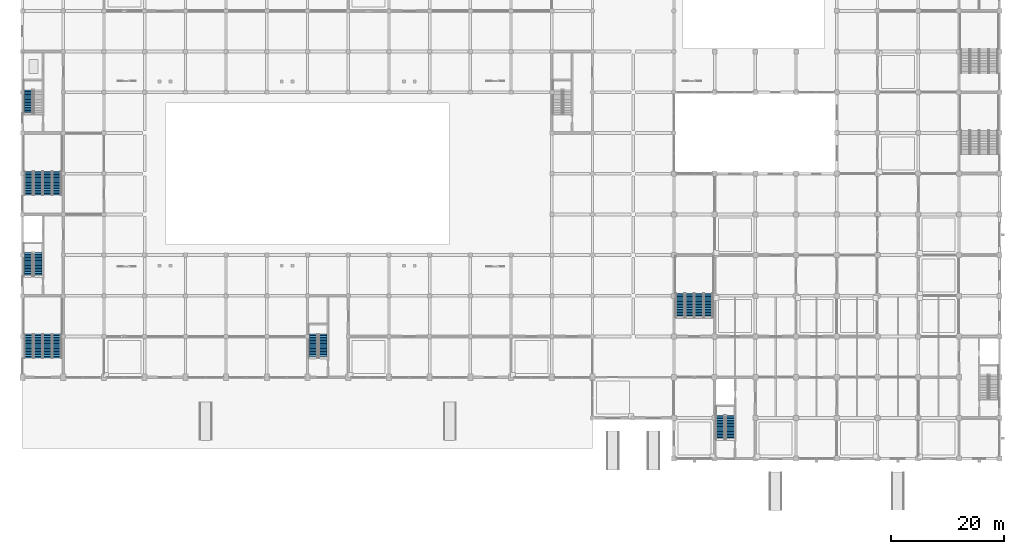
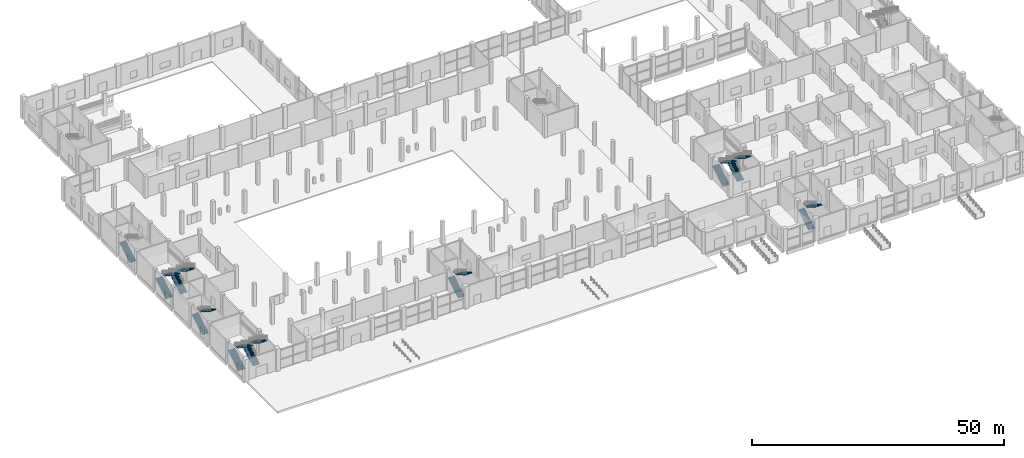
# One storey, part 54 of 70: 19 stair flights, 10 elements without a shape of their own.
"""IFC4 building model written with IfcOpenShell, lengths in metres."""

from ifc_helpers import new_model, si_unit, direction, frame, origin, place, context, subcontext, project, spatial, polyline, outline, extrude, material, type_object, element, aggregate, save


model = new_model("IFC4")

# Units and contexts
model_context = context("Model", 3, precision=1e-05, world=origin(), true_north=direction((0.0, 1.0)))
body_context = subcontext(model_context, "Body", "Model", "MODEL_VIEW")
ifc_project = project(units=[si_unit("LENGTHUNIT", "METRE"), si_unit("AREAUNIT", "SQUARE_METRE"), si_unit("VOLUMEUNIT", "CUBIC_METRE"), si_unit("PLANEANGLEUNIT", "RADIAN"), si_unit("MASSUNIT", "GRAM", prefix="KILO")], contexts=[model_context])

# Site, building, storey
site_placement = place(None, origin())
site = spatial("IfcSite", under=ifc_project, at=site_placement, CompositionType="ELEMENT")
building_placement = place(site_placement, origin())
building = spatial("IfcBuilding", under=site, at=building_placement, Name="Vesperath Aquatics Centre", CompositionType="ELEMENT")
storey_placement = place(building_placement, origin())
storey = spatial("IfcBuildingStorey", under=building, at=storey_placement, Name="L00", CompositionType="ELEMENT", Elevation=0.0)

# Stair, stair flights
ifc_material = material(Name="Concrete C35", Category="concrete")
stair_type_1 = type_object("IfcStairType", Name="ST-HT54", PredefinedType="HALF_TURN_STAIR", material=ifc_material)
stair_1_placement = place(storey_placement, origin())
stair_1 = element("IfcStair", 1, at=stair_1_placement, inside=storey, type_object=stair_type_1, Name="Enclosed Exit Stair ST1 L00", PredefinedType="HALF_TURN_STAIR")
stair_flight_type_1 = type_object("IfcStairFlightType", Name="SF-F54", PredefinedType="STRAIGHT", material=ifc_material)
stair_flight_1_placement = place(storey_placement, frame((1.070068359375, 32.219970703125, 0.0), z_axis=(0.0, 0.0, 1.0), x_axis=(0.0, 1.0, 0.0)))
stair_flight_1 = element("IfcStairFlight", 2, at=stair_flight_1_placement, type_object=stair_flight_type_1, Name="Stair ST1 Flight 1 L00", NumberOfRisers=16, NumberOfTreads=15, PredefinedType="STRAIGHT", RiserHeight=0.16875, TreadLength=0.28, context=body_context, shape_type="SweptSolid", body=[
    extrude(outline(polyline([(0.0, 0.0), (0.0, 0.168701171875), (0.280029296875, 0.168701171875), (0.280029296875, 0.33740234375), (0.56005859375, 0.33740234375), (0.56005859375, 0.50634765625), (0.840087890625, 0.50634765625), (0.840087890625, 0.675048828125), (1.1201171875, 0.675048828125), (1.1201171875, 0.84375), (1.39990234375, 0.84375), (1.39990234375, 1.012451171875), (1.679931640625, 1.012451171875), (1.679931640625, 1.18115234375), (1.9599609375, 1.18115234375), (1.9599609375, 1.35009765625), (2.239990234375, 1.35009765625), (2.239990234375, 1.518798828125), (2.52001953125, 1.518798828125), (2.52001953125, 1.6875), (2.800048828125, 1.6875), (2.800048828125, 1.856201171875), (3.080078125, 1.856201171875), (3.080078125, 2.02490234375), (3.360107421875, 2.02490234375), (3.360107421875, 2.19384765625), (3.639892578125, 2.19384765625), (3.639892578125, 2.362548828125), (3.919921875, 2.362548828125), (3.919921875, 2.53125), (4.199951171875, 2.53125), (4.199951171875, 2.699951171875), (4.199951171875, 2.3212890625), (0.3486328125, 0.0), (0.0, 0.0)])), frame((0.0, 0.719970703125, 0.0), z_axis=(0.0, -1.0, 0.0), x_axis=(1.0, 0.0, 0.0)), (0.0, 0.0, 1.0), 1.43994140625),
])
stair_flight_2_placement = place(storey_placement, frame((2.75, 36.419921875, 2.699951171875), z_axis=(0.0, 0.0, 1.0), x_axis=(0.0, -1.0, 0.0)))
stair_flight_2 = element("IfcStairFlight", 3, at=stair_flight_2_placement, type_object=stair_flight_type_1, Name="Stair ST1 Flight 2 L00", NumberOfRisers=16, NumberOfTreads=15, PredefinedType="STRAIGHT", RiserHeight=0.16875, TreadLength=0.28, context=body_context, shape_type="SweptSolid", body=[
    extrude(outline(polyline([(0.0, 0.0), (0.0, 0.168701171875), (0.280029296875, 0.168701171875), (0.280029296875, 0.33740234375), (0.56005859375, 0.33740234375), (0.56005859375, 0.50634765625), (0.840087890625, 0.50634765625), (0.840087890625, 0.675048828125), (1.1201171875, 0.675048828125), (1.1201171875, 0.84375), (1.39990234375, 0.84375), (1.39990234375, 1.012451171875), (1.679931640625, 1.012451171875), (1.679931640625, 1.18115234375), (1.9599609375, 1.18115234375), (1.9599609375, 1.35009765625), (2.239990234375, 1.35009765625), (2.239990234375, 1.518798828125), (2.52001953125, 1.518798828125), (2.52001953125, 1.6875), (2.800048828125, 1.6875), (2.800048828125, 1.856201171875), (3.080078125, 1.856201171875), (3.080078125, 2.02490234375), (3.360107421875, 2.02490234375), (3.360107421875, 2.19384765625), (3.639892578125, 2.19384765625), (3.639892578125, 2.362548828125), (3.919921875, 2.362548828125), (3.919921875, 2.53125), (4.199951171875, 2.53125), (4.199951171875, 2.699951171875), (4.199951171875, 2.3212890625), (0.3486328125, 0.0), (0.0, 0.0)])), frame((0.0, 0.719970703125, 0.0), z_axis=(0.0, -1.0, 0.0), x_axis=(1.0, 0.0, 0.0)), (0.0, 0.0, 1.0), 1.43994140625),
])
aggregate(stair_1, [stair_flight_1, stair_flight_2])

# Stair, stair flight
stair_2_placement = place(storey_placement, origin())
stair_2 = element("IfcStair", 4, at=stair_2_placement, inside=storey, type_object=stair_type_1, Name="Enclosed Exit Stair ST2 L00", PredefinedType="HALF_TURN_STAIR")
stair_flight_3_placement = place(storey_placement, frame((1.070068359375, 61.02001953125, 0.0), z_axis=(0.0, 0.0, 1.0), x_axis=(0.0, 1.0, 0.0)))
stair_flight_3 = element("IfcStairFlight", 5, at=stair_flight_3_placement, type_object=stair_flight_type_1, Name="Stair ST2 Flight 1 L00", NumberOfRisers=16, NumberOfTreads=15, PredefinedType="STRAIGHT", RiserHeight=0.16875, TreadLength=0.28, context=body_context, shape_type="SweptSolid", body=[
    extrude(outline(polyline([(0.0, 0.0), (0.0, 0.168701171875), (0.280029296875, 0.168701171875), (0.280029296875, 0.33740234375), (0.56005859375, 0.33740234375), (0.56005859375, 0.50634765625), (0.840087890625, 0.50634765625), (0.840087890625, 0.675048828125), (1.1201171875, 0.675048828125), (1.1201171875, 0.84375), (1.39990234375, 0.84375), (1.39990234375, 1.012451171875), (1.679931640625, 1.012451171875), (1.679931640625, 1.18115234375), (1.9599609375, 1.18115234375), (1.9599609375, 1.35009765625), (2.239990234375, 1.35009765625), (2.239990234375, 1.518798828125), (2.52001953125, 1.518798828125), (2.52001953125, 1.6875), (2.800048828125, 1.6875), (2.800048828125, 1.856201171875), (3.080078125, 1.856201171875), (3.080078125, 2.02490234375), (3.360107421875, 2.02490234375), (3.360107421875, 2.19384765625), (3.639892578125, 2.19384765625), (3.639892578125, 2.362548828125), (3.919921875, 2.362548828125), (3.919921875, 2.53125), (4.199951171875, 2.53125), (4.199951171875, 2.699951171875), (4.199951171875, 2.3212890625), (0.3486328125, 0.0), (0.0, 0.0)])), frame((0.0, 0.719970703125, 0.0), z_axis=(0.0, -1.0, 0.0), x_axis=(1.0, 0.0, 0.0)), (0.0, 0.0, 1.0), 1.43994140625),
])
aggregate(stair_2, [stair_flight_3])

# Stair, stair flights
stair_3_placement = place(storey_placement, origin())
stair_3 = element("IfcStair", 6, at=stair_3_placement, inside=storey, type_object=stair_type_1, Name="Enclosed Exit Stair ST9 L00", PredefinedType="HALF_TURN_STAIR")
stair_flight_4_placement = place(storey_placement, frame((51.469970703125, 17.820068359375, 0.0), z_axis=(0.0, 0.0, 1.0), x_axis=(0.0, 1.0, 0.0)))
stair_flight_4 = element("IfcStairFlight", 7, at=stair_flight_4_placement, type_object=stair_flight_type_1, Name="Stair ST9 Flight 1 L00", NumberOfRisers=16, NumberOfTreads=15, PredefinedType="STRAIGHT", RiserHeight=0.16875, TreadLength=0.28, context=body_context, shape_type="SweptSolid", body=[
    extrude(outline(polyline([(0.0, 0.0), (0.0, 0.168701171875), (0.280029296875, 0.168701171875), (0.280029296875, 0.33740234375), (0.56005859375, 0.33740234375), (0.56005859375, 0.50634765625), (0.840087890625, 0.50634765625), (0.840087890625, 0.675048828125), (1.1201171875, 0.675048828125), (1.1201171875, 0.84375), (1.39990234375, 0.84375), (1.39990234375, 1.012451171875), (1.679931640625, 1.012451171875), (1.679931640625, 1.18115234375), (1.9599609375, 1.18115234375), (1.9599609375, 1.35009765625), (2.239990234375, 1.35009765625), (2.239990234375, 1.518798828125), (2.52001953125, 1.518798828125), (2.52001953125, 1.6875), (2.800048828125, 1.6875), (2.800048828125, 1.856201171875), (3.080078125, 1.856201171875), (3.080078125, 2.02490234375), (3.360107421875, 2.02490234375), (3.360107421875, 2.19384765625), (3.639892578125, 2.19384765625), (3.639892578125, 2.362548828125), (3.919921875, 2.362548828125), (3.919921875, 2.53125), (4.199951171875, 2.53125), (4.199951171875, 2.699951171875), (4.199951171875, 2.3212890625), (0.3486328125, 0.0), (0.0, 0.0)])), frame((0.0, 0.719970703125, 0.0), z_axis=(0.0, -1.0, 0.0), x_axis=(1.0, 0.0, 0.0)), (0.0, 0.0, 1.0), 1.43994140625),
])
stair_flight_5_placement = place(storey_placement, frame((53.14990234375, 22.02001953125, 2.699951171875), z_axis=(0.0, 0.0, 1.0), x_axis=(0.0, -1.0, 0.0)))
stair_flight_5 = element("IfcStairFlight", 8, at=stair_flight_5_placement, type_object=stair_flight_type_1, Name="Stair ST9 Flight 2 L00", NumberOfRisers=16, NumberOfTreads=15, PredefinedType="STRAIGHT", RiserHeight=0.16875, TreadLength=0.28, context=body_context, shape_type="SweptSolid", body=[
    extrude(outline(polyline([(0.0, 0.0), (0.0, 0.168701171875), (0.280029296875, 0.168701171875), (0.280029296875, 0.33740234375), (0.56005859375, 0.33740234375), (0.56005859375, 0.50634765625), (0.840087890625, 0.50634765625), (0.840087890625, 0.675048828125), (1.1201171875, 0.675048828125), (1.1201171875, 0.84375), (1.39990234375, 0.84375), (1.39990234375, 1.012451171875), (1.679931640625, 1.012451171875), (1.679931640625, 1.18115234375), (1.9599609375, 1.18115234375), (1.9599609375, 1.35009765625), (2.239990234375, 1.35009765625), (2.239990234375, 1.518798828125), (2.52001953125, 1.518798828125), (2.52001953125, 1.6875), (2.800048828125, 1.6875), (2.800048828125, 1.856201171875), (3.080078125, 1.856201171875), (3.080078125, 2.02490234375), (3.360107421875, 2.02490234375), (3.360107421875, 2.19384765625), (3.639892578125, 2.19384765625), (3.639892578125, 2.362548828125), (3.919921875, 2.362548828125), (3.919921875, 2.53125), (4.199951171875, 2.53125), (4.199951171875, 2.699951171875), (4.199951171875, 2.3212890625), (0.3486328125, 0.0), (0.0, 0.0)])), frame((0.0, 0.719970703125, 0.0), z_axis=(0.0, -1.0, 0.0), x_axis=(1.0, 0.0, 0.0)), (0.0, 0.0, 1.0), 1.43994140625),
])
aggregate(stair_3, [stair_flight_4, stair_flight_5])

stair_4_placement = place(storey_placement, origin())
stair_4 = element("IfcStair", 9, at=stair_4_placement, inside=storey, type_object=stair_type_1, Name="Enclosed Exit Stair ST5 L00", PredefinedType="HALF_TURN_STAIR")
stair_flight_6_placement = place(storey_placement, frame((123.469970703125, 3.419921875, 0.0), z_axis=(0.0, 0.0, 1.0), x_axis=(0.0, 1.0, 0.0)))
stair_flight_6 = element("IfcStairFlight", 10, at=stair_flight_6_placement, type_object=stair_flight_type_1, Name="Stair ST5 Flight 1 L00", NumberOfRisers=16, NumberOfTreads=15, PredefinedType="STRAIGHT", RiserHeight=0.16875, TreadLength=0.28, context=body_context, shape_type="SweptSolid", body=[
    extrude(outline(polyline([(0.0, 0.0), (0.0, 0.168701171875), (0.280029296875, 0.168701171875), (0.280029296875, 0.33740234375), (0.56005859375, 0.33740234375), (0.56005859375, 0.50634765625), (0.840087890625, 0.50634765625), (0.840087890625, 0.675048828125), (1.1201171875, 0.675048828125), (1.1201171875, 0.84375), (1.39990234375, 0.84375), (1.39990234375, 1.012451171875), (1.679931640625, 1.012451171875), (1.679931640625, 1.18115234375), (1.9599609375, 1.18115234375), (1.9599609375, 1.35009765625), (2.239990234375, 1.35009765625), (2.239990234375, 1.518798828125), (2.52001953125, 1.518798828125), (2.52001953125, 1.6875), (2.800048828125, 1.6875), (2.800048828125, 1.856201171875), (3.080078125, 1.856201171875), (3.080078125, 2.02490234375), (3.360107421875, 2.02490234375), (3.360107421875, 2.19384765625), (3.639892578125, 2.19384765625), (3.639892578125, 2.362548828125), (3.919921875, 2.362548828125), (3.919921875, 2.53125), (4.199951171875, 2.53125), (4.199951171875, 2.699951171875), (4.199951171875, 2.3212890625), (0.3486328125, 0.0), (0.0, 0.0)])), frame((0.0, 0.719970703125, 0.0), z_axis=(0.0, -1.0, 0.0), x_axis=(1.0, 0.0, 0.0)), (0.0, 0.0, 1.0), 1.43994140625),
])
stair_flight_7_placement = place(storey_placement, frame((125.14990234375, 7.6201171875, 2.699951171875), z_axis=(0.0, 0.0, 1.0), x_axis=(0.0, -1.0, 0.0)))
stair_flight_7 = element("IfcStairFlight", 11, at=stair_flight_7_placement, type_object=stair_flight_type_1, Name="Stair ST5 Flight 2 L00", NumberOfRisers=16, NumberOfTreads=15, PredefinedType="STRAIGHT", RiserHeight=0.16875, TreadLength=0.28, context=body_context, shape_type="SweptSolid", body=[
    extrude(outline(polyline([(0.0, 0.0), (0.0, 0.168701171875), (0.280029296875, 0.168701171875), (0.280029296875, 0.33740234375), (0.56005859375, 0.33740234375), (0.56005859375, 0.50634765625), (0.840087890625, 0.50634765625), (0.840087890625, 0.675048828125), (1.1201171875, 0.675048828125), (1.1201171875, 0.84375), (1.39990234375, 0.84375), (1.39990234375, 1.012451171875), (1.679931640625, 1.012451171875), (1.679931640625, 1.18115234375), (1.9599609375, 1.18115234375), (1.9599609375, 1.35009765625), (2.239990234375, 1.35009765625), (2.239990234375, 1.518798828125), (2.52001953125, 1.518798828125), (2.52001953125, 1.6875), (2.800048828125, 1.6875), (2.800048828125, 1.856201171875), (3.080078125, 1.856201171875), (3.080078125, 2.02490234375), (3.360107421875, 2.02490234375), (3.360107421875, 2.19384765625), (3.639892578125, 2.19384765625), (3.639892578125, 2.362548828125), (3.919921875, 2.362548828125), (3.919921875, 2.53125), (4.199951171875, 2.53125), (4.199951171875, 2.699951171875), (4.199951171875, 2.3212890625), (0.3486328125, 0.0), (0.0, 0.0)])), frame((0.0, 0.719970703125, 0.0), z_axis=(0.0, -1.0, 0.0), x_axis=(1.0, 0.0, 0.0)), (0.0, 0.0, 1.0), 1.43994140625),
])
aggregate(stair_4, [stair_flight_6, stair_flight_7])

stair_type_2 = type_object("IfcStairType", Name="ST-HW54", PredefinedType="HALF_TURN_STAIR", material=ifc_material)
stair_5_placement = place(storey_placement, origin())
stair_5 = element("IfcStair", 12, at=stair_5_placement, inside=storey, type_object=stair_type_2, Name="Enclosed Exit Stair ST7A L00", PredefinedType="HALF_TURN_STAIR")
stair_flight_type_2 = type_object("IfcStairFlightType", Name="SF-W54", PredefinedType="STRAIGHT", material=ifc_material)
stair_flight_8_placement = place(storey_placement, frame((116.324951171875, 25.02001953125, 0.0), z_axis=(0.0, 0.0, 1.0), x_axis=(0.0, 1.0, 0.0)))
stair_flight_8 = element("IfcStairFlight", 13, at=stair_flight_8_placement, type_object=stair_flight_type_2, Name="Stair ST7A Flight 1 L00", NumberOfRisers=16, NumberOfTreads=15, PredefinedType="STRAIGHT", RiserHeight=0.16875, TreadLength=0.28, context=body_context, shape_type="SweptSolid", body=[
    extrude(outline(polyline([(0.0, 0.0), (0.0, 0.168701171875), (0.280029296875, 0.168701171875), (0.280029296875, 0.33740234375), (0.56005859375, 0.33740234375), (0.56005859375, 0.50634765625), (0.840087890625, 0.50634765625), (0.840087890625, 0.675048828125), (1.1201171875, 0.675048828125), (1.1201171875, 0.84375), (1.39990234375, 0.84375), (1.39990234375, 1.012451171875), (1.679931640625, 1.012451171875), (1.679931640625, 1.18115234375), (1.9599609375, 1.18115234375), (1.9599609375, 1.35009765625), (2.239990234375, 1.35009765625), (2.239990234375, 1.518798828125), (2.52001953125, 1.518798828125), (2.52001953125, 1.6875), (2.800048828125, 1.6875), (2.800048828125, 1.856201171875), (3.080078125, 1.856201171875), (3.080078125, 2.02490234375), (3.360107421875, 2.02490234375), (3.360107421875, 2.19384765625), (3.639892578125, 2.19384765625), (3.639892578125, 2.362548828125), (3.919921875, 2.362548828125), (3.919921875, 2.53125), (4.199951171875, 2.53125), (4.199951171875, 2.699951171875), (4.199951171875, 2.3212890625), (0.3486328125, 0.0), (0.0, 0.0)])), frame((0.0, 0.78515625, 0.0), z_axis=(0.0, -1.0, 0.0), x_axis=(1.0, 0.0, 0.0)), (0.0, 0.0, 1.0), 1.570068359375),
])
stair_flight_9_placement = place(storey_placement, frame((117.97509765625, 29.219970703125, 2.699951171875), z_axis=(0.0, 0.0, 1.0), x_axis=(0.0, -1.0, 0.0)))
stair_flight_9 = element("IfcStairFlight", 14, at=stair_flight_9_placement, type_object=stair_flight_type_2, Name="Stair ST7A Flight 2 L00", NumberOfRisers=16, NumberOfTreads=15, PredefinedType="STRAIGHT", RiserHeight=0.16875, TreadLength=0.28, context=body_context, shape_type="SweptSolid", body=[
    extrude(outline(polyline([(0.0, 0.0), (0.0, 0.168701171875), (0.280029296875, 0.168701171875), (0.280029296875, 0.33740234375), (0.56005859375, 0.33740234375), (0.56005859375, 0.50634765625), (0.840087890625, 0.50634765625), (0.840087890625, 0.675048828125), (1.1201171875, 0.675048828125), (1.1201171875, 0.84375), (1.39990234375, 0.84375), (1.39990234375, 1.012451171875), (1.679931640625, 1.012451171875), (1.679931640625, 1.18115234375), (1.9599609375, 1.18115234375), (1.9599609375, 1.35009765625), (2.239990234375, 1.35009765625), (2.239990234375, 1.518798828125), (2.52001953125, 1.518798828125), (2.52001953125, 1.6875), (2.800048828125, 1.6875), (2.800048828125, 1.856201171875), (3.080078125, 1.856201171875), (3.080078125, 2.02490234375), (3.360107421875, 2.02490234375), (3.360107421875, 2.19384765625), (3.639892578125, 2.19384765625), (3.639892578125, 2.362548828125), (3.919921875, 2.362548828125), (3.919921875, 2.53125), (4.199951171875, 2.53125), (4.199951171875, 2.699951171875), (4.199951171875, 2.3212890625), (0.3486328125, 0.0), (0.0, 0.0)])), frame((0.0, 0.78515625, 0.0), z_axis=(0.0, -1.0, 0.0), x_axis=(1.0, 0.0, 0.0)), (0.0, 0.0, 1.0), 1.570068359375),
])
aggregate(stair_5, [stair_flight_8, stair_flight_9])

stair_6_placement = place(storey_placement, origin())
stair_6 = element("IfcStair", 15, at=stair_6_placement, inside=storey, type_object=stair_type_2, Name="Enclosed Exit Stair ST7B L00", PredefinedType="HALF_TURN_STAIR")
stair_flight_10_placement = place(storey_placement, frame((119.625, 25.02001953125, 0.0), z_axis=(0.0, 0.0, 1.0), x_axis=(0.0, 1.0, 0.0)))
stair_flight_10 = element("IfcStairFlight", 16, at=stair_flight_10_placement, type_object=stair_flight_type_2, Name="Stair ST7B Flight 1 L00", NumberOfRisers=16, NumberOfTreads=15, PredefinedType="STRAIGHT", RiserHeight=0.16875, TreadLength=0.28, context=body_context, shape_type="SweptSolid", body=[
    extrude(outline(polyline([(0.0, 0.0), (0.0, 0.168701171875), (0.280029296875, 0.168701171875), (0.280029296875, 0.33740234375), (0.56005859375, 0.33740234375), (0.56005859375, 0.50634765625), (0.840087890625, 0.50634765625), (0.840087890625, 0.675048828125), (1.1201171875, 0.675048828125), (1.1201171875, 0.84375), (1.39990234375, 0.84375), (1.39990234375, 1.012451171875), (1.679931640625, 1.012451171875), (1.679931640625, 1.18115234375), (1.9599609375, 1.18115234375), (1.9599609375, 1.35009765625), (2.239990234375, 1.35009765625), (2.239990234375, 1.518798828125), (2.52001953125, 1.518798828125), (2.52001953125, 1.6875), (2.800048828125, 1.6875), (2.800048828125, 1.856201171875), (3.080078125, 1.856201171875), (3.080078125, 2.02490234375), (3.360107421875, 2.02490234375), (3.360107421875, 2.19384765625), (3.639892578125, 2.19384765625), (3.639892578125, 2.362548828125), (3.919921875, 2.362548828125), (3.919921875, 2.53125), (4.199951171875, 2.53125), (4.199951171875, 2.699951171875), (4.199951171875, 2.3212890625), (0.3486328125, 0.0), (0.0, 0.0)])), frame((0.0, 0.78515625, 0.0), z_axis=(0.0, -1.0, 0.0), x_axis=(1.0, 0.0, 0.0)), (0.0, 0.0, 1.0), 1.570068359375),
])
stair_flight_11_placement = place(storey_placement, frame((121.27490234375, 29.219970703125, 2.699951171875), z_axis=(0.0, 0.0, 1.0), x_axis=(0.0, -1.0, 0.0)))
stair_flight_11 = element("IfcStairFlight", 17, at=stair_flight_11_placement, type_object=stair_flight_type_2, Name="Stair ST7B Flight 2 L00", NumberOfRisers=16, NumberOfTreads=15, PredefinedType="STRAIGHT", RiserHeight=0.16875, TreadLength=0.28, context=body_context, shape_type="SweptSolid", body=[
    extrude(outline(polyline([(0.0, 0.0), (0.0, 0.168701171875), (0.280029296875, 0.168701171875), (0.280029296875, 0.33740234375), (0.56005859375, 0.33740234375), (0.56005859375, 0.50634765625), (0.840087890625, 0.50634765625), (0.840087890625, 0.675048828125), (1.1201171875, 0.675048828125), (1.1201171875, 0.84375), (1.39990234375, 0.84375), (1.39990234375, 1.012451171875), (1.679931640625, 1.012451171875), (1.679931640625, 1.18115234375), (1.9599609375, 1.18115234375), (1.9599609375, 1.35009765625), (2.239990234375, 1.35009765625), (2.239990234375, 1.518798828125), (2.52001953125, 1.518798828125), (2.52001953125, 1.6875), (2.800048828125, 1.6875), (2.800048828125, 1.856201171875), (3.080078125, 1.856201171875), (3.080078125, 2.02490234375), (3.360107421875, 2.02490234375), (3.360107421875, 2.19384765625), (3.639892578125, 2.19384765625), (3.639892578125, 2.362548828125), (3.919921875, 2.362548828125), (3.919921875, 2.53125), (4.199951171875, 2.53125), (4.199951171875, 2.699951171875), (4.199951171875, 2.3212890625), (0.3486328125, 0.0), (0.0, 0.0)])), frame((0.0, 0.78515625, 0.0), z_axis=(0.0, -1.0, 0.0), x_axis=(1.0, 0.0, 0.0)), (0.0, 0.0, 1.0), 1.570068359375),
])
aggregate(stair_6, [stair_flight_10, stair_flight_11])

stair_7_placement = place(storey_placement, origin())
stair_7 = element("IfcStair", 18, at=stair_7_placement, inside=storey, type_object=stair_type_2, Name="Enclosed Exit Stair ST10A L00", PredefinedType="HALF_TURN_STAIR")
stair_flight_12_placement = place(storey_placement, frame((1.125, 17.820068359375, 0.0), z_axis=(0.0, 0.0, 1.0), x_axis=(0.0, 1.0, 0.0)))
stair_flight_12 = element("IfcStairFlight", 19, at=stair_flight_12_placement, type_object=stair_flight_type_2, Name="Stair ST10A Flight 1 L00", NumberOfRisers=16, NumberOfTreads=15, PredefinedType="STRAIGHT", RiserHeight=0.16875, TreadLength=0.28, context=body_context, shape_type="SweptSolid", body=[
    extrude(outline(polyline([(0.0, 0.0), (0.0, 0.168701171875), (0.280029296875, 0.168701171875), (0.280029296875, 0.33740234375), (0.56005859375, 0.33740234375), (0.56005859375, 0.50634765625), (0.840087890625, 0.50634765625), (0.840087890625, 0.675048828125), (1.1201171875, 0.675048828125), (1.1201171875, 0.84375), (1.39990234375, 0.84375), (1.39990234375, 1.012451171875), (1.679931640625, 1.012451171875), (1.679931640625, 1.18115234375), (1.9599609375, 1.18115234375), (1.9599609375, 1.35009765625), (2.239990234375, 1.35009765625), (2.239990234375, 1.518798828125), (2.52001953125, 1.518798828125), (2.52001953125, 1.6875), (2.800048828125, 1.6875), (2.800048828125, 1.856201171875), (3.080078125, 1.856201171875), (3.080078125, 2.02490234375), (3.360107421875, 2.02490234375), (3.360107421875, 2.19384765625), (3.639892578125, 2.19384765625), (3.639892578125, 2.362548828125), (3.919921875, 2.362548828125), (3.919921875, 2.53125), (4.199951171875, 2.53125), (4.199951171875, 2.699951171875), (4.199951171875, 2.3212890625), (0.3486328125, 0.0), (0.0, 0.0)])), frame((0.0, 0.78515625, 0.0), z_axis=(0.0, -1.0, 0.0), x_axis=(1.0, 0.0, 0.0)), (0.0, 0.0, 1.0), 1.570068359375),
])
stair_flight_13_placement = place(storey_placement, frame((2.77490234375, 22.02001953125, 2.699951171875), z_axis=(0.0, 0.0, 1.0), x_axis=(0.0, -1.0, 0.0)))
stair_flight_13 = element("IfcStairFlight", 20, at=stair_flight_13_placement, type_object=stair_flight_type_2, Name="Stair ST10A Flight 2 L00", NumberOfRisers=16, NumberOfTreads=15, PredefinedType="STRAIGHT", RiserHeight=0.16875, TreadLength=0.28, context=body_context, shape_type="SweptSolid", body=[
    extrude(outline(polyline([(0.0, 0.0), (0.0, 0.168701171875), (0.280029296875, 0.168701171875), (0.280029296875, 0.33740234375), (0.56005859375, 0.33740234375), (0.56005859375, 0.50634765625), (0.840087890625, 0.50634765625), (0.840087890625, 0.675048828125), (1.1201171875, 0.675048828125), (1.1201171875, 0.84375), (1.39990234375, 0.84375), (1.39990234375, 1.012451171875), (1.679931640625, 1.012451171875), (1.679931640625, 1.18115234375), (1.9599609375, 1.18115234375), (1.9599609375, 1.35009765625), (2.239990234375, 1.35009765625), (2.239990234375, 1.518798828125), (2.52001953125, 1.518798828125), (2.52001953125, 1.6875), (2.800048828125, 1.6875), (2.800048828125, 1.856201171875), (3.080078125, 1.856201171875), (3.080078125, 2.02490234375), (3.360107421875, 2.02490234375), (3.360107421875, 2.19384765625), (3.639892578125, 2.19384765625), (3.639892578125, 2.362548828125), (3.919921875, 2.362548828125), (3.919921875, 2.53125), (4.199951171875, 2.53125), (4.199951171875, 2.699951171875), (4.199951171875, 2.3212890625), (0.3486328125, 0.0), (0.0, 0.0)])), frame((0.0, 0.78515625, 0.0), z_axis=(0.0, -1.0, 0.0), x_axis=(1.0, 0.0, 0.0)), (0.0, 0.0, 1.0), 1.570068359375),
])
aggregate(stair_7, [stair_flight_12, stair_flight_13])

stair_8_placement = place(storey_placement, origin())
stair_8 = element("IfcStair", 21, at=stair_8_placement, inside=storey, type_object=stair_type_2, Name="Enclosed Exit Stair ST10B L00", PredefinedType="HALF_TURN_STAIR")
stair_flight_14_placement = place(storey_placement, frame((4.425048828125, 17.820068359375, 0.0), z_axis=(0.0, 0.0, 1.0), x_axis=(0.0, 1.0, 0.0)))
stair_flight_14 = element("IfcStairFlight", 22, at=stair_flight_14_placement, type_object=stair_flight_type_2, Name="Stair ST10B Flight 1 L00", NumberOfRisers=16, NumberOfTreads=15, PredefinedType="STRAIGHT", RiserHeight=0.16875, TreadLength=0.28, context=body_context, shape_type="SweptSolid", body=[
    extrude(outline(polyline([(0.0, 0.0), (0.0, 0.168701171875), (0.280029296875, 0.168701171875), (0.280029296875, 0.33740234375), (0.56005859375, 0.33740234375), (0.56005859375, 0.50634765625), (0.840087890625, 0.50634765625), (0.840087890625, 0.675048828125), (1.1201171875, 0.675048828125), (1.1201171875, 0.84375), (1.39990234375, 0.84375), (1.39990234375, 1.012451171875), (1.679931640625, 1.012451171875), (1.679931640625, 1.18115234375), (1.9599609375, 1.18115234375), (1.9599609375, 1.35009765625), (2.239990234375, 1.35009765625), (2.239990234375, 1.518798828125), (2.52001953125, 1.518798828125), (2.52001953125, 1.6875), (2.800048828125, 1.6875), (2.800048828125, 1.856201171875), (3.080078125, 1.856201171875), (3.080078125, 2.02490234375), (3.360107421875, 2.02490234375), (3.360107421875, 2.19384765625), (3.639892578125, 2.19384765625), (3.639892578125, 2.362548828125), (3.919921875, 2.362548828125), (3.919921875, 2.53125), (4.199951171875, 2.53125), (4.199951171875, 2.699951171875), (4.199951171875, 2.3212890625), (0.3486328125, 0.0), (0.0, 0.0)])), frame((0.0, 0.78515625, 0.0), z_axis=(0.0, -1.0, 0.0), x_axis=(1.0, 0.0, 0.0)), (0.0, 0.0, 1.0), 1.570068359375),
])
stair_flight_15_placement = place(storey_placement, frame((6.074951171875, 22.02001953125, 2.699951171875), z_axis=(0.0, 0.0, 1.0), x_axis=(0.0, -1.0, 0.0)))
stair_flight_15 = element("IfcStairFlight", 23, at=stair_flight_15_placement, type_object=stair_flight_type_2, Name="Stair ST10B Flight 2 L00", NumberOfRisers=16, NumberOfTreads=15, PredefinedType="STRAIGHT", RiserHeight=0.16875, TreadLength=0.28, context=body_context, shape_type="SweptSolid", body=[
    extrude(outline(polyline([(0.0, 0.0), (0.0, 0.168701171875), (0.280029296875, 0.168701171875), (0.280029296875, 0.33740234375), (0.56005859375, 0.33740234375), (0.56005859375, 0.50634765625), (0.840087890625, 0.50634765625), (0.840087890625, 0.675048828125), (1.1201171875, 0.675048828125), (1.1201171875, 0.84375), (1.39990234375, 0.84375), (1.39990234375, 1.012451171875), (1.679931640625, 1.012451171875), (1.679931640625, 1.18115234375), (1.9599609375, 1.18115234375), (1.9599609375, 1.35009765625), (2.239990234375, 1.35009765625), (2.239990234375, 1.518798828125), (2.52001953125, 1.518798828125), (2.52001953125, 1.6875), (2.800048828125, 1.6875), (2.800048828125, 1.856201171875), (3.080078125, 1.856201171875), (3.080078125, 2.02490234375), (3.360107421875, 2.02490234375), (3.360107421875, 2.19384765625), (3.639892578125, 2.19384765625), (3.639892578125, 2.362548828125), (3.919921875, 2.362548828125), (3.919921875, 2.53125), (4.199951171875, 2.53125), (4.199951171875, 2.699951171875), (4.199951171875, 2.3212890625), (0.3486328125, 0.0), (0.0, 0.0)])), frame((0.0, 0.78515625, 0.0), z_axis=(0.0, -1.0, 0.0), x_axis=(1.0, 0.0, 0.0)), (0.0, 0.0, 1.0), 1.570068359375),
])
aggregate(stair_8, [stair_flight_14, stair_flight_15])

stair_9_placement = place(storey_placement, origin())
stair_9 = element("IfcStair", 24, at=stair_9_placement, inside=storey, type_object=stair_type_2, Name="Enclosed Exit Stair ST11A L00", PredefinedType="HALF_TURN_STAIR")
stair_flight_16_placement = place(storey_placement, frame((1.125, 46.6201171875, 0.0), z_axis=(0.0, 0.0, 1.0), x_axis=(0.0, 1.0, 0.0)))
stair_flight_16 = element("IfcStairFlight", 25, at=stair_flight_16_placement, type_object=stair_flight_type_2, Name="Stair ST11A Flight 1 L00", NumberOfRisers=16, NumberOfTreads=15, PredefinedType="STRAIGHT", RiserHeight=0.16875, TreadLength=0.28, context=body_context, shape_type="SweptSolid", body=[
    extrude(outline(polyline([(0.0, 0.0), (0.0, 0.168701171875), (0.280029296875, 0.168701171875), (0.280029296875, 0.33740234375), (0.56005859375, 0.33740234375), (0.56005859375, 0.50634765625), (0.840087890625, 0.50634765625), (0.840087890625, 0.675048828125), (1.1201171875, 0.675048828125), (1.1201171875, 0.84375), (1.39990234375, 0.84375), (1.39990234375, 1.012451171875), (1.679931640625, 1.012451171875), (1.679931640625, 1.18115234375), (1.9599609375, 1.18115234375), (1.9599609375, 1.35009765625), (2.239990234375, 1.35009765625), (2.239990234375, 1.518798828125), (2.52001953125, 1.518798828125), (2.52001953125, 1.6875), (2.800048828125, 1.6875), (2.800048828125, 1.856201171875), (3.080078125, 1.856201171875), (3.080078125, 2.02490234375), (3.360107421875, 2.02490234375), (3.360107421875, 2.19384765625), (3.639892578125, 2.19384765625), (3.639892578125, 2.362548828125), (3.919921875, 2.362548828125), (3.919921875, 2.53125), (4.199951171875, 2.53125), (4.199951171875, 2.699951171875), (4.199951171875, 2.3212890625), (0.3486328125, 0.0), (0.0, 0.0)])), frame((0.0, 0.78515625, 0.0), z_axis=(0.0, -1.0, 0.0), x_axis=(1.0, 0.0, 0.0)), (0.0, 0.0, 1.0), 1.570068359375),
])
stair_flight_17_placement = place(storey_placement, frame((2.77490234375, 50.820068359375, 2.699951171875), z_axis=(0.0, 0.0, 1.0), x_axis=(0.0, -1.0, 0.0)))
stair_flight_17 = element("IfcStairFlight", 26, at=stair_flight_17_placement, type_object=stair_flight_type_2, Name="Stair ST11A Flight 2 L00", NumberOfRisers=16, NumberOfTreads=15, PredefinedType="STRAIGHT", RiserHeight=0.16875, TreadLength=0.28, context=body_context, shape_type="SweptSolid", body=[
    extrude(outline(polyline([(0.0, 0.0), (0.0, 0.168701171875), (0.280029296875, 0.168701171875), (0.280029296875, 0.33740234375), (0.56005859375, 0.33740234375), (0.56005859375, 0.50634765625), (0.840087890625, 0.50634765625), (0.840087890625, 0.675048828125), (1.1201171875, 0.675048828125), (1.1201171875, 0.84375), (1.39990234375, 0.84375), (1.39990234375, 1.012451171875), (1.679931640625, 1.012451171875), (1.679931640625, 1.18115234375), (1.9599609375, 1.18115234375), (1.9599609375, 1.35009765625), (2.239990234375, 1.35009765625), (2.239990234375, 1.518798828125), (2.52001953125, 1.518798828125), (2.52001953125, 1.6875), (2.800048828125, 1.6875), (2.800048828125, 1.856201171875), (3.080078125, 1.856201171875), (3.080078125, 2.02490234375), (3.360107421875, 2.02490234375), (3.360107421875, 2.19384765625), (3.639892578125, 2.19384765625), (3.639892578125, 2.362548828125), (3.919921875, 2.362548828125), (3.919921875, 2.53125), (4.199951171875, 2.53125), (4.199951171875, 2.699951171875), (4.199951171875, 2.3212890625), (0.3486328125, 0.0), (0.0, 0.0)])), frame((0.0, 0.78515625, 0.0), z_axis=(0.0, -1.0, 0.0), x_axis=(1.0, 0.0, 0.0)), (0.0, 0.0, 1.0), 1.570068359375),
])
aggregate(stair_9, [stair_flight_16, stair_flight_17])

stair_10_placement = place(storey_placement, origin())
stair_10 = element("IfcStair", 27, at=stair_10_placement, inside=storey, type_object=stair_type_2, Name="Enclosed Exit Stair ST11B L00", PredefinedType="HALF_TURN_STAIR")
stair_flight_18_placement = place(storey_placement, frame((4.425048828125, 46.6201171875, 0.0), z_axis=(0.0, 0.0, 1.0), x_axis=(0.0, 1.0, 0.0)))
stair_flight_18 = element("IfcStairFlight", 28, at=stair_flight_18_placement, type_object=stair_flight_type_2, Name="Stair ST11B Flight 1 L00", NumberOfRisers=16, NumberOfTreads=15, PredefinedType="STRAIGHT", RiserHeight=0.16875, TreadLength=0.28, context=body_context, shape_type="SweptSolid", body=[
    extrude(outline(polyline([(0.0, 0.0), (0.0, 0.168701171875), (0.280029296875, 0.168701171875), (0.280029296875, 0.33740234375), (0.56005859375, 0.33740234375), (0.56005859375, 0.50634765625), (0.840087890625, 0.50634765625), (0.840087890625, 0.675048828125), (1.1201171875, 0.675048828125), (1.1201171875, 0.84375), (1.39990234375, 0.84375), (1.39990234375, 1.012451171875), (1.679931640625, 1.012451171875), (1.679931640625, 1.18115234375), (1.9599609375, 1.18115234375), (1.9599609375, 1.35009765625), (2.239990234375, 1.35009765625), (2.239990234375, 1.518798828125), (2.52001953125, 1.518798828125), (2.52001953125, 1.6875), (2.800048828125, 1.6875), (2.800048828125, 1.856201171875), (3.080078125, 1.856201171875), (3.080078125, 2.02490234375), (3.360107421875, 2.02490234375), (3.360107421875, 2.19384765625), (3.639892578125, 2.19384765625), (3.639892578125, 2.362548828125), (3.919921875, 2.362548828125), (3.919921875, 2.53125), (4.199951171875, 2.53125), (4.199951171875, 2.699951171875), (4.199951171875, 2.3212890625), (0.3486328125, 0.0), (0.0, 0.0)])), frame((0.0, 0.78515625, 0.0), z_axis=(0.0, -1.0, 0.0), x_axis=(1.0, 0.0, 0.0)), (0.0, 0.0, 1.0), 1.570068359375),
])
stair_flight_19_placement = place(storey_placement, frame((6.074951171875, 50.820068359375, 2.699951171875), z_axis=(0.0, 0.0, 1.0), x_axis=(0.0, -1.0, 0.0)))
stair_flight_19 = element("IfcStairFlight", 29, at=stair_flight_19_placement, type_object=stair_flight_type_2, Name="Stair ST11B Flight 2 L00", NumberOfRisers=16, NumberOfTreads=15, PredefinedType="STRAIGHT", RiserHeight=0.16875, TreadLength=0.28, context=body_context, shape_type="SweptSolid", body=[
    extrude(outline(polyline([(0.0, 0.0), (0.0, 0.168701171875), (0.280029296875, 0.168701171875), (0.280029296875, 0.33740234375), (0.56005859375, 0.33740234375), (0.56005859375, 0.50634765625), (0.840087890625, 0.50634765625), (0.840087890625, 0.675048828125), (1.1201171875, 0.675048828125), (1.1201171875, 0.84375), (1.39990234375, 0.84375), (1.39990234375, 1.012451171875), (1.679931640625, 1.012451171875), (1.679931640625, 1.18115234375), (1.9599609375, 1.18115234375), (1.9599609375, 1.35009765625), (2.239990234375, 1.35009765625), (2.239990234375, 1.518798828125), (2.52001953125, 1.518798828125), (2.52001953125, 1.6875), (2.800048828125, 1.6875), (2.800048828125, 1.856201171875), (3.080078125, 1.856201171875), (3.080078125, 2.02490234375), (3.360107421875, 2.02490234375), (3.360107421875, 2.19384765625), (3.639892578125, 2.19384765625), (3.639892578125, 2.362548828125), (3.919921875, 2.362548828125), (3.919921875, 2.53125), (4.199951171875, 2.53125), (4.199951171875, 2.699951171875), (4.199951171875, 2.3212890625), (0.3486328125, 0.0), (0.0, 0.0)])), frame((0.0, 0.78515625, 0.0), z_axis=(0.0, -1.0, 0.0), x_axis=(1.0, 0.0, 0.0)), (0.0, 0.0, 1.0), 1.570068359375),
])
aggregate(stair_10, [stair_flight_18, stair_flight_19])

save(model, "model.ifc")
